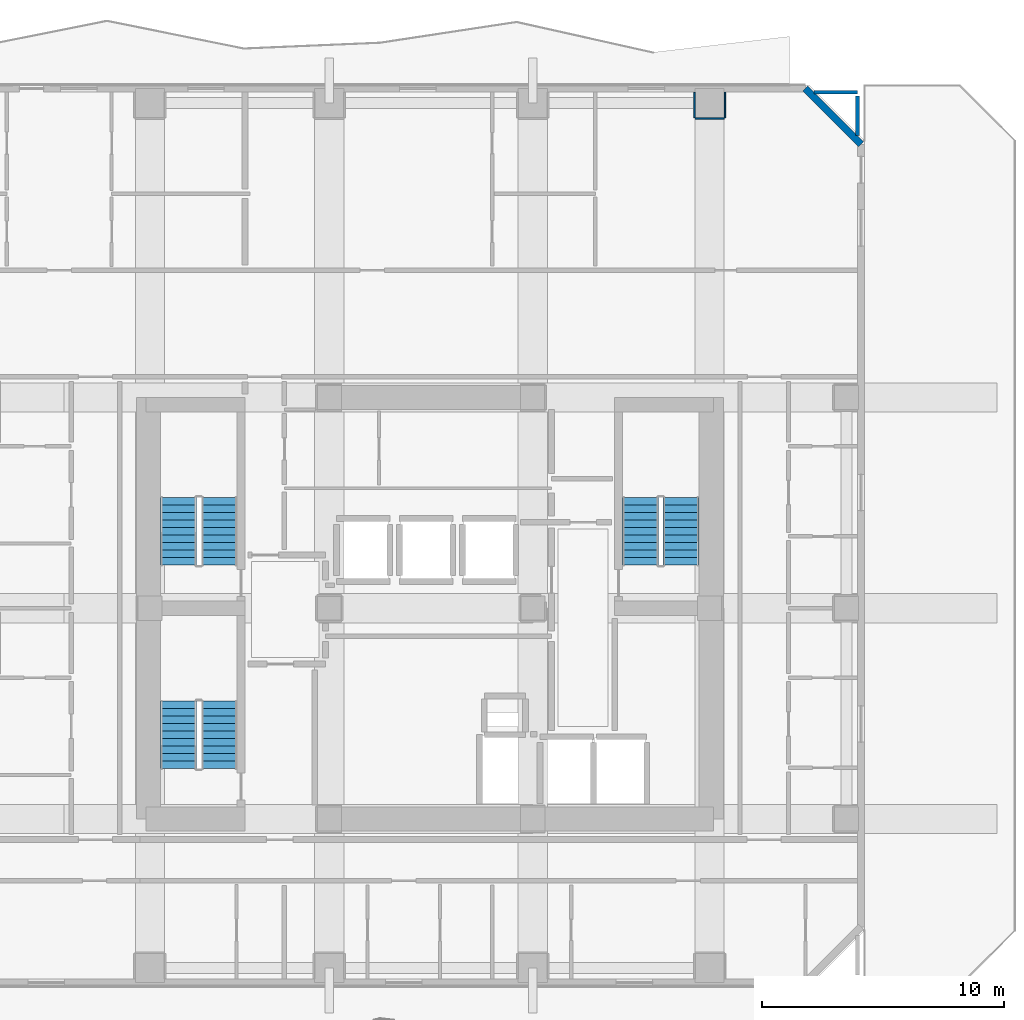
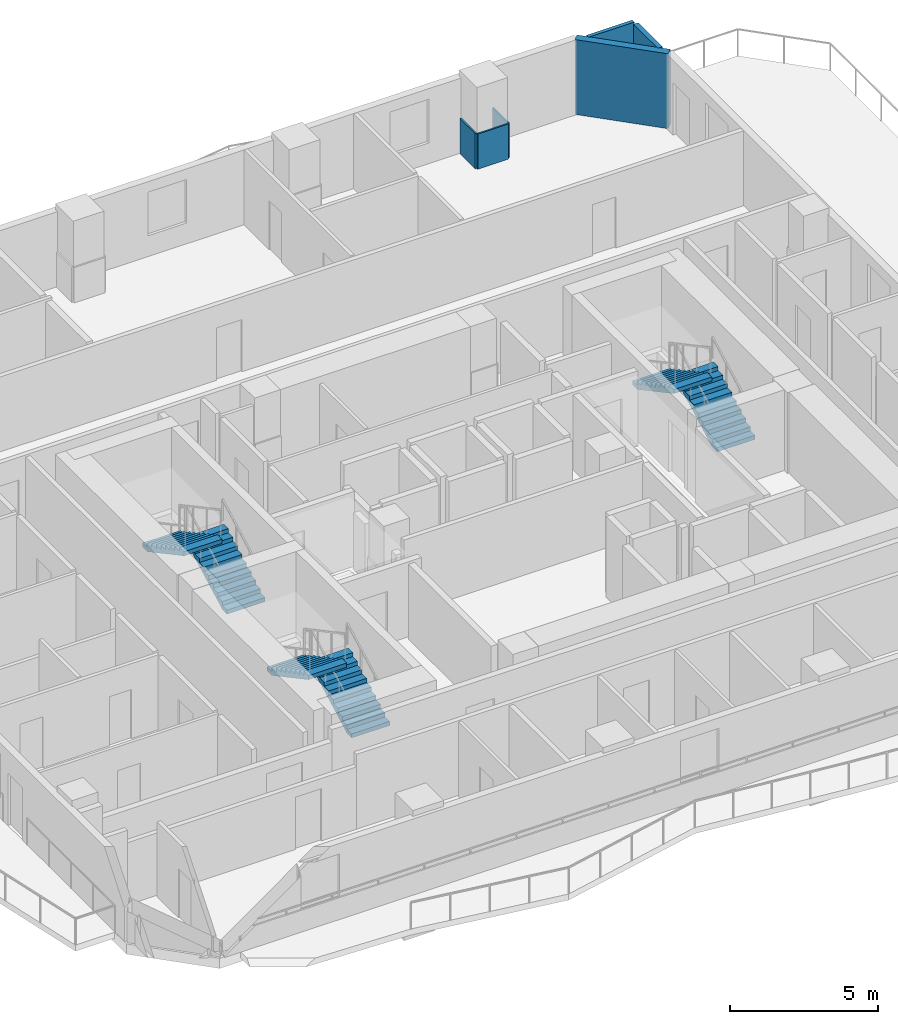
# One storey, part 7 of 11: 6 stair flights, 6 walls, 3 elements without a shape of their own.
"""IFC4 building model written with IfcOpenShell, lengths in metres."""

from ifc_helpers import new_model, si_unit, direction, frame, frame_2d, origin, place, context, subcontext, project, spatial, polyline, rectangle, outline, extrude, material, layer, layer_set, type_object, element, aggregate, save


model = new_model("IFC4")

# Units and contexts
model_context = context("Model", 3, precision=1e-05, world=origin(), true_north=direction((0.0, 1.0)))
body_context = subcontext(model_context, "Body", "Model", "MODEL_VIEW")
ifc_project = project(units=[si_unit("LENGTHUNIT", "METRE"), si_unit("AREAUNIT", "SQUARE_METRE"), si_unit("VOLUMEUNIT", "CUBIC_METRE"), si_unit("PLANEANGLEUNIT", "RADIAN"), si_unit("MASSUNIT", "GRAM", prefix="KILO")], contexts=[model_context])

# Site, building, storey
site_placement = place(None, origin())
site = spatial("IfcSite", under=ifc_project, at=site_placement, CompositionType="ELEMENT")
building_placement = place(site_placement, origin())
building = spatial("IfcBuilding", under=site, at=building_placement, Name="Solanera Arch Residences", CompositionType="ELEMENT")
storey_placement = place(building_placement, frame((0.0, 0.0, 165.840087890625)))
storey = spatial("IfcBuildingStorey", under=building, at=storey_placement, Name="L48", CompositionType="ELEMENT", Elevation=165.840087890625)

# Walls
ifc_material_1 = material(Name="Fire-Rated Gypsum Stud Partition", Category="gypsum")
ifc_layer_1 = layer(ifc_material_1, 0.06005859375)
ifc_layer_set_1 = layer_set([ifc_layer_1], Name="Fire-Rated Gypsum Stud Partition")
wall_type_1 = type_object("IfcWallType", Name="Column Acoustic Furring Wall 60", PredefinedType="PARTITIONING", material=ifc_layer_set_1)
wall_1_placement = place(storey_placement, frame((35.89990234375, 50.91796875, 0.0), z_axis=(0.0, 0.0, 1.0), x_axis=(1.0, 0.0, 0.0)))
element("IfcWall", 1, at=wall_1_placement, inside=storey, type_object=wall_type_1, Name="L48 Column Furring 16S", PredefinedType="PARTITIONING", context=body_context, shape_type="SweptSolid", body=[
    extrude(rectangle(XDim=1.2001953125, YDim=0.06005859375, at=frame_2d((0.60009765625, 0.0))), origin(), (0.0, 0.0, 1.0), 1.449951171875),
])
for number, where, z_axis, x_axis, name in (
    (2, (35.867919921875, 50.949951171875, 0.0), (0.0, 0.0, 1.0), (0.0, 1.0, 0.0), "L48 Column Furring 16W"),
    (3, (37.132080078125, 50.949951171875, 0.0), (0.0, 0.0, 1.0), (0.0, 1.0, 0.0), "L48 Column Furring 16E"),
):
    element("IfcWall", number, at=place(storey_placement, frame(where, z_axis=z_axis, x_axis=x_axis)), inside=storey, type_object=wall_type_1, Name=name, PredefinedType="PARTITIONING", context=body_context, shape_type="SweptSolid", body=[
        extrude(rectangle(XDim=1.0400390625, YDim=0.06005859375, at=frame_2d((0.52001953125, 0.0))), origin(), (0.0, 0.0, 1.0), 1.449951171875),
    ])
ifc_material_2 = material(Name="Autoclaved Aerated Concrete Blockwork", Category="masonry")
ifc_layer_2 = layer(ifc_material_2, 0.179931640625)
ifc_layer_set_2 = layer_set([ifc_layer_2], Name="Autoclaved Aerated Concrete Blockwork")
wall_type_2 = type_object("IfcWallType", Name="Corridor Fire Partition 180", PredefinedType="PARTITIONING", material=ifc_layer_set_2)
wall_2_placement = place(storey_placement, frame((42.60009765625, 50.205078125, 0.0), z_axis=(0.0, 0.0, 1.0), x_axis=(0.0, 1.0, 0.0)))
element("IfcWall", 4, at=wall_2_placement, inside=storey, type_object=wall_type_2, Name="L48 Interior Partition V15 2", PredefinedType="PARTITIONING", context=body_context, shape_type="SweptSolid", body=[
    extrude(rectangle(XDim=1.626953125, YDim=0.179931640625, at=frame_2d((0.8134765625, 0.0))), origin(), (0.0, 0.0, 1.0), 3.079833984375),
])
ifc_material_3 = material(Name="Precast Concrete C35/45", Category="concrete")
ifc_layer_3 = layer(ifc_material_3, 0.280029296875)
ifc_layer_set_3 = layer_set([ifc_layer_3], Name="Precast Concrete C35/45")
wall_type_3 = type_object("IfcWallType", Name="Exterior Wall Precast Masonry-Frame 280", PredefinedType="STANDARD", material=ifc_layer_set_3)
wall_3_placement = place(storey_placement, frame((40.445068359375, 52.14501953125, 0.0), z_axis=(0.0, 0.0, 1.0), x_axis=(0.707106781187, -0.707106781187, 0.0)))
element("IfcWall", 5, at=wall_3_placement, inside=storey, type_object=wall_type_3, Name="L48 Tower Exterior Precast Masonry-Frame Wall CH3", PredefinedType="STANDARD", context=body_context, shape_type="SweptSolid", body=[
    extrude(rectangle(XDim=3.252685546875, YDim=0.280029296875, at=frame_2d((1.62646484375, 0.0))), origin(), (0.0, 0.0, 1.0), 3.079833984375),
])
ifc_material_4 = material(Name="Autoclaved Aerated Concrete Blockwork", Category="masonry")
ifc_layer_4 = layer(ifc_material_4, 0.139892578125)
ifc_layer_set_4 = layer_set([ifc_layer_4], Name="Autoclaved Aerated Concrete Blockwork")
wall_type_4 = type_object("IfcWallType", Name="Wet-Room Partition 140", PredefinedType="PARTITIONING", material=ifc_layer_set_4)
wall_4_placement = place(storey_placement, frame((40.804931640625, 52.0, 0.0), z_axis=(0.0, 0.0, 1.0), x_axis=(1.0, 0.0, 0.0)))
element("IfcWall", 6, at=wall_4_placement, inside=storey, type_object=wall_type_4, Name="L48 Interior Partition H24 2", PredefinedType="PARTITIONING", context=body_context, shape_type="SweptSolid", body=[
    extrude(rectangle(XDim=1.795166015625, YDim=0.139892578125, at=frame_2d((0.8974609375, 0.0))), origin(), (0.0, 0.0, 1.0), 3.079833984375),
])

# Stair, stair flights
ifc_material_5 = material(Name="Concrete C40/50 (f'c = 45 MPa)", Category="concrete")
stair_type = type_object("IfcStairType", Name="Tower Dogleg Exit Stair 1480", PredefinedType="HALF_TURN_STAIR", material=ifc_material_5)
stair_1_placement = place(storey_placement, origin())
stair_1 = element("IfcStair", 7, at=stair_1_placement, inside=storey, type_object=stair_type, Name="L48 Tower Core Exit Stair 1", PredefinedType="HALF_TURN_STAIR")
ifc_material_6 = material(Name="Concrete C40/50 (f'c = 45 MPa)", Category="concrete")
stair_flight_type = type_object("IfcStairFlightType", Name="Tower Precast Stair Flight 1480", PredefinedType="STRAIGHT", material=ifc_material_6)
stair_flight_1_placement = place(storey_placement, frame((16.260009765625, 32.47998046875, 0.0), z_axis=(0.0, 0.0, 1.0), x_axis=(0.0, 1.0, 0.0)))
stair_flight_1 = element("IfcStairFlight", 8, at=stair_flight_1_placement, type_object=stair_flight_type, Name="ST-T1 flight 1", NumberOfRisers=10, NumberOfTreads=9, PredefinedType="STRAIGHT", RiserHeight=0.166, TreadLength=0.31, context=body_context, shape_type="SweptSolid", body=[
    extrude(outline(polyline([(0.0, 0.0), (0.0, 0.166015625), (0.31005859375, 0.166015625), (0.31005859375, 0.33203125), (0.6201171875, 0.33203125), (0.6201171875, 0.498046875), (0.929931640625, 0.498046875), (0.929931640625, 0.6640625), (1.239990234375, 0.6640625), (1.239990234375, 0.830078125), (1.550048828125, 0.830078125), (1.550048828125, 0.99609375), (1.860107421875, 0.99609375), (1.860107421875, 1.162109375), (2.169921875, 1.162109375), (2.169921875, 1.327880859375), (2.47998046875, 1.327880859375), (2.47998046875, 1.493896484375), (2.7900390625, 1.493896484375), (2.7900390625, 1.659912109375), (2.7900390625, 1.323974609375), (0.317626953125, 0.0), (0.0, 0.0)])), frame((0.0, 0.739990234375, 0.0), z_axis=(0.0, -1.0, 0.0), x_axis=(1.0, 0.0, 0.0)), (0.0, 0.0, 1.0), 1.47998046875),
])
stair_flight_2_placement = place(storey_placement, frame((14.580078125, 35.27001953125, 1.659912109375), z_axis=(0.0, 0.0, 1.0), x_axis=(0.0, -1.0, 0.0)))
stair_flight_2 = element("IfcStairFlight", 9, at=stair_flight_2_placement, type_object=stair_flight_type, Name="ST-T1 flight 2", NumberOfRisers=10, NumberOfTreads=9, PredefinedType="STRAIGHT", RiserHeight=0.166, TreadLength=0.31, context=body_context, shape_type="SweptSolid", body=[
    extrude(outline(polyline([(0.0, 0.0), (0.0, 0.166015625), (0.31005859375, 0.166015625), (0.31005859375, 0.33203125), (0.6201171875, 0.33203125), (0.6201171875, 0.498046875), (0.929931640625, 0.498046875), (0.929931640625, 0.6640625), (1.239990234375, 0.6640625), (1.239990234375, 0.830078125), (1.550048828125, 0.830078125), (1.550048828125, 0.99609375), (1.860107421875, 0.99609375), (1.860107421875, 1.162109375), (2.169921875, 1.162109375), (2.169921875, 1.327880859375), (2.47998046875, 1.327880859375), (2.47998046875, 1.493896484375), (2.7900390625, 1.493896484375), (2.7900390625, 1.659912109375), (2.7900390625, 1.323974609375), (0.317626953125, 0.0), (0.0, 0.0)])), frame((0.0, 0.739990234375, 0.0), z_axis=(0.0, -1.0, 0.0), x_axis=(1.0, 0.0, 0.0)), (0.0, 0.0, 1.0), 1.47998046875),
])
aggregate(stair_1, [stair_flight_1, stair_flight_2])

stair_2_placement = place(storey_placement, origin())
stair_2 = element("IfcStair", 10, at=stair_2_placement, inside=storey, type_object=stair_type, Name="L48 Tower Core Exit Stair 2", PredefinedType="HALF_TURN_STAIR")
stair_flight_3_placement = place(storey_placement, frame((35.320068359375, 32.47998046875, 0.0), z_axis=(0.0, 0.0, 1.0), x_axis=(0.0, 1.0, 0.0)))
stair_flight_3 = element("IfcStairFlight", 11, at=stair_flight_3_placement, type_object=stair_flight_type, Name="ST-T2 flight 1", NumberOfRisers=10, NumberOfTreads=9, PredefinedType="STRAIGHT", RiserHeight=0.166, TreadLength=0.31, context=body_context, shape_type="SweptSolid", body=[
    extrude(outline(polyline([(0.0, 0.0), (0.0, 0.166015625), (0.31005859375, 0.166015625), (0.31005859375, 0.33203125), (0.6201171875, 0.33203125), (0.6201171875, 0.498046875), (0.929931640625, 0.498046875), (0.929931640625, 0.6640625), (1.239990234375, 0.6640625), (1.239990234375, 0.830078125), (1.550048828125, 0.830078125), (1.550048828125, 0.99609375), (1.860107421875, 0.99609375), (1.860107421875, 1.162109375), (2.169921875, 1.162109375), (2.169921875, 1.327880859375), (2.47998046875, 1.327880859375), (2.47998046875, 1.493896484375), (2.7900390625, 1.493896484375), (2.7900390625, 1.659912109375), (2.7900390625, 1.323974609375), (0.317626953125, 0.0), (0.0, 0.0)])), frame((0.0, 0.739990234375, 0.0), z_axis=(0.0, -1.0, 0.0), x_axis=(1.0, 0.0, 0.0)), (0.0, 0.0, 1.0), 1.47998046875),
])
stair_flight_4_placement = place(storey_placement, frame((33.639892578125, 35.27001953125, 1.659912109375), z_axis=(0.0, 0.0, 1.0), x_axis=(0.0, -1.0, 0.0)))
stair_flight_4 = element("IfcStairFlight", 12, at=stair_flight_4_placement, type_object=stair_flight_type, Name="ST-T2 flight 2", NumberOfRisers=10, NumberOfTreads=9, PredefinedType="STRAIGHT", RiserHeight=0.166, TreadLength=0.31, context=body_context, shape_type="SweptSolid", body=[
    extrude(outline(polyline([(0.0, 0.0), (0.0, 0.166015625), (0.31005859375, 0.166015625), (0.31005859375, 0.33203125), (0.6201171875, 0.33203125), (0.6201171875, 0.498046875), (0.929931640625, 0.498046875), (0.929931640625, 0.6640625), (1.239990234375, 0.6640625), (1.239990234375, 0.830078125), (1.550048828125, 0.830078125), (1.550048828125, 0.99609375), (1.860107421875, 0.99609375), (1.860107421875, 1.162109375), (2.169921875, 1.162109375), (2.169921875, 1.327880859375), (2.47998046875, 1.327880859375), (2.47998046875, 1.493896484375), (2.7900390625, 1.493896484375), (2.7900390625, 1.659912109375), (2.7900390625, 1.323974609375), (0.317626953125, 0.0), (0.0, 0.0)])), frame((0.0, 0.739990234375, 0.0), z_axis=(0.0, -1.0, 0.0), x_axis=(1.0, 0.0, 0.0)), (0.0, 0.0, 1.0), 1.47998046875),
])
aggregate(stair_2, [stair_flight_3, stair_flight_4])

stair_3_placement = place(storey_placement, origin())
stair_3 = element("IfcStair", 13, at=stair_3_placement, inside=storey, type_object=stair_type, Name="L48 Tower Core Exit Stair 3", PredefinedType="HALF_TURN_STAIR")
stair_flight_5_placement = place(storey_placement, frame((16.260009765625, 24.080078125, 0.0), z_axis=(0.0, 0.0, 1.0), x_axis=(0.0, 1.0, 0.0)))
stair_flight_5 = element("IfcStairFlight", 14, at=stair_flight_5_placement, type_object=stair_flight_type, Name="ST-T3 flight 1", NumberOfRisers=10, NumberOfTreads=9, PredefinedType="STRAIGHT", RiserHeight=0.166, TreadLength=0.31, context=body_context, shape_type="SweptSolid", body=[
    extrude(outline(polyline([(0.0, 0.0), (0.0, 0.166015625), (0.31005859375, 0.166015625), (0.31005859375, 0.33203125), (0.6201171875, 0.33203125), (0.6201171875, 0.498046875), (0.929931640625, 0.498046875), (0.929931640625, 0.6640625), (1.239990234375, 0.6640625), (1.239990234375, 0.830078125), (1.550048828125, 0.830078125), (1.550048828125, 0.99609375), (1.860107421875, 0.99609375), (1.860107421875, 1.162109375), (2.169921875, 1.162109375), (2.169921875, 1.327880859375), (2.47998046875, 1.327880859375), (2.47998046875, 1.493896484375), (2.7900390625, 1.493896484375), (2.7900390625, 1.659912109375), (2.7900390625, 1.323974609375), (0.317626953125, 0.0), (0.0, 0.0)])), frame((0.0, 0.739990234375, 0.0), z_axis=(0.0, -1.0, 0.0), x_axis=(1.0, 0.0, 0.0)), (0.0, 0.0, 1.0), 1.47998046875),
])
stair_flight_6_placement = place(storey_placement, frame((14.580078125, 26.8701171875, 1.659912109375), z_axis=(0.0, 0.0, 1.0), x_axis=(0.0, -1.0, 0.0)))
stair_flight_6 = element("IfcStairFlight", 15, at=stair_flight_6_placement, type_object=stair_flight_type, Name="ST-T3 flight 2", NumberOfRisers=10, NumberOfTreads=9, PredefinedType="STRAIGHT", RiserHeight=0.166, TreadLength=0.31, context=body_context, shape_type="SweptSolid", body=[
    extrude(outline(polyline([(0.0, 0.0), (0.0, 0.166015625), (0.31005859375, 0.166015625), (0.31005859375, 0.33203125), (0.6201171875, 0.33203125), (0.6201171875, 0.498046875), (0.929931640625, 0.498046875), (0.929931640625, 0.6640625), (1.239990234375, 0.6640625), (1.239990234375, 0.830078125), (1.550048828125, 0.830078125), (1.550048828125, 0.99609375), (1.860107421875, 0.99609375), (1.860107421875, 1.162109375), (2.169921875, 1.162109375), (2.169921875, 1.327880859375), (2.47998046875, 1.327880859375), (2.47998046875, 1.493896484375), (2.7900390625, 1.493896484375), (2.7900390625, 1.659912109375), (2.7900390625, 1.323974609375), (0.317626953125, 0.0), (0.0, 0.0)])), frame((0.0, 0.739990234375, 0.0), z_axis=(0.0, -1.0, 0.0), x_axis=(1.0, 0.0, 0.0)), (0.0, 0.0, 1.0), 1.47998046875),
])
aggregate(stair_3, [stair_flight_5, stair_flight_6])

save(model, "model.ifc")
